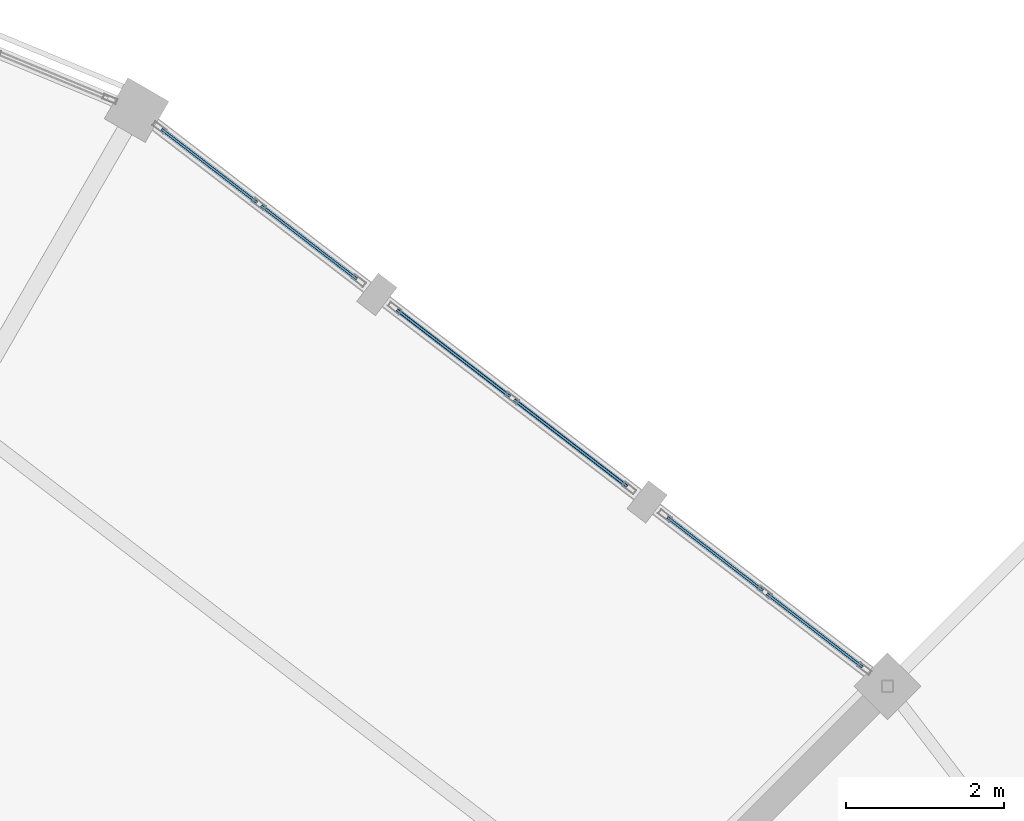
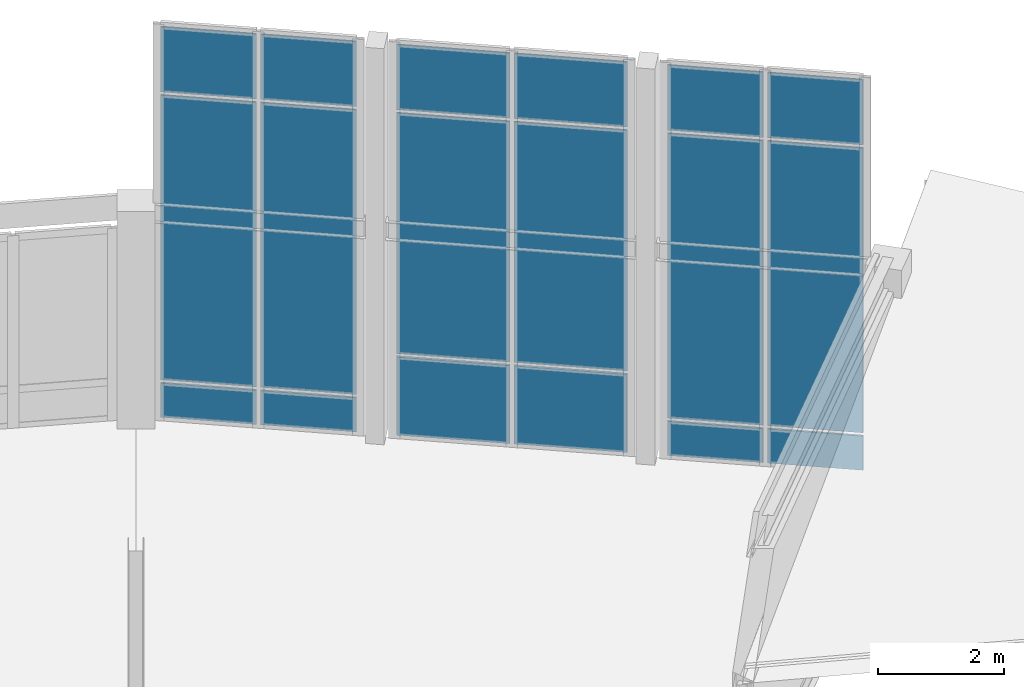
# One storey, part 142 of 200: 18 plates, 3 elements without a shape of their own.
"""IFC4 building model written with IfcOpenShell, lengths in metres."""

from ifc_helpers import new_model, si_unit, direction, frame, origin, origin_2d, place, context, subcontext, project, spatial, rectangle, extrude, material, layer, layer_set, type_object, element, aggregate, save


model = new_model("IFC4")

# Units and contexts
model_context = context("Model", 3, precision=1e-05, world=origin(), true_north=direction((0.0, 1.0)))
body_context = subcontext(model_context, "Body", "Model", "MODEL_VIEW")
ifc_project = project(units=[si_unit("LENGTHUNIT", "METRE"), si_unit("AREAUNIT", "SQUARE_METRE"), si_unit("VOLUMEUNIT", "CUBIC_METRE"), si_unit("PLANEANGLEUNIT", "RADIAN"), si_unit("MASSUNIT", "GRAM", prefix="KILO")], contexts=[model_context])

# Site, building, storey
site_placement = place(None, origin())
site = spatial("IfcSite", under=ifc_project, at=site_placement, CompositionType="ELEMENT")
building_placement = place(site_placement, origin())
building = spatial("IfcBuilding", under=site, at=building_placement, Name="Vondelvale Polytechnic", CompositionType="ELEMENT")
storey_placement = place(building_placement, frame((0.0, 0.0, 13.800048828125)))
storey = spatial("IfcBuildingStorey", under=building, at=storey_placement, Name="L03", CompositionType="ELEMENT", Elevation=13.800048828125)

# Curtain wall, plates
ifc_material_1 = material(Name="Glulam GL18 structural Tasmanian oak (fb = 42 MPa)", Category="wood")
curtain_wall_type = type_object("IfcCurtainWallType", Name="CW-RING-OUTER", PredefinedType="NOTDEFINED", material=ifc_material_1)
curtain_wall_1_placement = place(storey_placement, origin())
curtain_wall_1 = element("IfcCurtainWall", 1, at=curtain_wall_1_placement, inside=storey, type_object=curtain_wall_type, Name="L03 architectural curtain wall CW-04-109", PredefinedType="NOTDEFINED")
ifc_material_2 = material(Name="Double-glazed low-E insulated architectural glass", Category="glass")
ifc_layer_1 = layer(ifc_material_2, 0.028076171875)
ifc_layer_set_1 = layer_set([ifc_layer_1], Name="CW-PANEL-GLAZED")
plate_type_1 = type_object("IfcPlateType", Name="CW-PANEL-GLAZED", PredefinedType="CURTAIN_PANEL", material=ifc_layer_set_1)
plate_1_placement = place(storey_placement, frame((133.6044921875, 105.234619140625, 0.780029296875), z_axis=(0.0, 0.0, 1.0), x_axis=(-0.793333825656, 0.608786860133, 0.0)))
plate_1 = element("IfcPlate", 2, at=plate_1_placement, type_object=plate_type_1, Name="CW-04-109 panel 1.2", PredefinedType="CURTAIN_PANEL", context=body_context, shape_type="SweptSolid", body=[
    extrude(rectangle(XDim=1.530029296875, YDim=0.028076171875, at=origin_2d()), origin(), (0.0, 0.0, 1.0), 5.50146484375),
])
plate_2_placement = place(storey_placement, frame((133.6044921875, 105.234619140625, 6.34130859375), z_axis=(0.0, 0.0, 1.0), x_axis=(-0.793333825656, 0.608786860133, 0.0)))
plate_2 = element("IfcPlate", 3, at=plate_2_placement, type_object=plate_type_1, Name="CW-04-109 panel 1.3", PredefinedType="CURTAIN_PANEL", context=body_context, shape_type="SweptSolid", body=[
    extrude(rectangle(XDim=1.530029296875, YDim=0.028076171875, at=origin_2d()), origin(), (0.0, 0.0, 1.0), 1.260009765625),
])
plate_3_placement = place(storey_placement, frame((132.339111328125, 106.205810546875, 0.780029296875), z_axis=(0.0, 0.0, 1.0), x_axis=(-0.793333825656, 0.608786860133, 0.0)))
plate_3 = element("IfcPlate", 4, at=plate_3_placement, type_object=plate_type_1, Name="CW-04-109 panel 2.2", PredefinedType="CURTAIN_PANEL", context=body_context, shape_type="SweptSolid", body=[
    extrude(rectangle(XDim=1.530029296875, YDim=0.028076171875, at=origin_2d()), origin(), (0.0, 0.0, 1.0), 5.50146484375),
])
plate_4_placement = place(storey_placement, frame((132.339111328125, 106.205810546875, 6.34130859375), z_axis=(0.0, 0.0, 1.0), x_axis=(-0.793333825656, 0.608786860133, 0.0)))
plate_4 = element("IfcPlate", 5, at=plate_4_placement, type_object=plate_type_1, Name="CW-04-109 panel 2.3", PredefinedType="CURTAIN_PANEL", context=body_context, shape_type="SweptSolid", body=[
    extrude(rectangle(XDim=1.530029296875, YDim=0.028076171875, at=origin_2d()), origin(), (0.0, 0.0, 1.0), 1.260009765625),
])

curtain_wall_2_placement = place(storey_placement, origin())
curtain_wall_2 = element("IfcCurtainWall", 6, at=curtain_wall_2_placement, inside=storey, type_object=curtain_wall_type, Name="L03 architectural curtain wall CW-04-110", PredefinedType="NOTDEFINED")
plate_5_placement = place(storey_placement, frame((130.5068359375, 107.611572265625, 1.6298828125), z_axis=(0.0, 0.0, 1.0), x_axis=(-0.793345851043, 0.608771189063, 0.0)))
plate_5 = element("IfcPlate", 7, at=plate_5_placement, type_object=plate_type_1, Name="CW-04-110 panel 1.2", PredefinedType="CURTAIN_PANEL", context=body_context, shape_type="SweptSolid", body=[
    extrude(rectangle(XDim=1.80908203125, YDim=0.028076171875, at=origin_2d()), origin(), (0.0, 0.0, 1.0), 4.6513671875),
])
plate_6_placement = place(storey_placement, frame((130.5068359375, 107.611572265625, 6.34130859375), z_axis=(0.0, 0.0, 1.0), x_axis=(-0.793345851043, 0.608771189063, 0.0)))
plate_6 = element("IfcPlate", 8, at=plate_6_placement, type_object=plate_type_1, Name="CW-04-110 panel 1.3", PredefinedType="CURTAIN_PANEL", context=body_context, shape_type="SweptSolid", body=[
    extrude(rectangle(XDim=1.80908203125, YDim=0.028076171875, at=origin_2d()), origin(), (0.0, 0.0, 1.0), 1.260009765625),
])
plate_7_placement = place(storey_placement, frame((129.02001953125, 108.75244140625, 1.6298828125), z_axis=(0.0, 0.0, 1.0), x_axis=(-0.793345851043, 0.608771189063, 0.0)))
plate_7 = element("IfcPlate", 9, at=plate_7_placement, type_object=plate_type_1, Name="CW-04-110 panel 2.2", PredefinedType="CURTAIN_PANEL", context=body_context, shape_type="SweptSolid", body=[
    extrude(rectangle(XDim=1.80908203125, YDim=0.028076171875, at=origin_2d()), origin(), (0.0, 0.0, 1.0), 4.6513671875),
])
plate_8_placement = place(storey_placement, frame((129.02001953125, 108.75244140625, 6.34130859375), z_axis=(0.0, 0.0, 1.0), x_axis=(-0.793345851043, 0.608771189063, 0.0)))
plate_8 = element("IfcPlate", 10, at=plate_8_placement, type_object=plate_type_1, Name="CW-04-110 panel 2.3", PredefinedType="CURTAIN_PANEL", context=body_context, shape_type="SweptSolid", body=[
    extrude(rectangle(XDim=1.80908203125, YDim=0.028076171875, at=origin_2d()), origin(), (0.0, 0.0, 1.0), 1.260009765625),
])

curtain_wall_3_placement = place(storey_placement, origin())
curtain_wall_3 = element("IfcCurtainWall", 11, at=curtain_wall_3_placement, inside=storey, type_object=curtain_wall_type, Name="L03 architectural curtain wall CW-04-111", PredefinedType="NOTDEFINED")
plate_9_placement = place(storey_placement, frame((127.187744140625, 110.158447265625, 0.780029296875), z_axis=(0.0, 0.0, 1.0), x_axis=(-0.793333825656, 0.608786860133, 0.0)))
plate_9 = element("IfcPlate", 12, at=plate_9_placement, type_object=plate_type_1, Name="CW-04-111 panel 1.2", PredefinedType="CURTAIN_PANEL", context=body_context, shape_type="SweptSolid", body=[
    extrude(rectangle(XDim=1.530029296875, YDim=0.028076171875, at=origin_2d()), origin(), (0.0, 0.0, 1.0), 5.50146484375),
])
plate_10_placement = place(storey_placement, frame((127.187744140625, 110.158447265625, 6.34130859375), z_axis=(0.0, 0.0, 1.0), x_axis=(-0.793333825656, 0.608786860133, 0.0)))
plate_10 = element("IfcPlate", 13, at=plate_10_placement, type_object=plate_type_1, Name="CW-04-111 panel 1.3", PredefinedType="CURTAIN_PANEL", context=body_context, shape_type="SweptSolid", body=[
    extrude(rectangle(XDim=1.530029296875, YDim=0.028076171875, at=origin_2d()), origin(), (0.0, 0.0, 1.0), 1.260009765625),
])
plate_11_placement = place(storey_placement, frame((125.92236328125, 111.12939453125, 0.780029296875), z_axis=(0.0, 0.0, 1.0), x_axis=(-0.793333825656, 0.608786860133, 0.0)))
plate_11 = element("IfcPlate", 14, at=plate_11_placement, type_object=plate_type_1, Name="CW-04-111 panel 2.2", PredefinedType="CURTAIN_PANEL", context=body_context, shape_type="SweptSolid", body=[
    extrude(rectangle(XDim=1.530029296875, YDim=0.028076171875, at=origin_2d()), origin(), (0.0, 0.0, 1.0), 5.50146484375),
])
plate_12_placement = place(storey_placement, frame((125.92236328125, 111.12939453125, 6.34130859375), z_axis=(0.0, 0.0, 1.0), x_axis=(-0.793333825656, 0.608786860133, 0.0)))
plate_12 = element("IfcPlate", 15, at=plate_12_placement, type_object=plate_type_1, Name="CW-04-111 panel 2.3", PredefinedType="CURTAIN_PANEL", context=body_context, shape_type="SweptSolid", body=[
    extrude(rectangle(XDim=1.530029296875, YDim=0.028076171875, at=origin_2d()), origin(), (0.0, 0.0, 1.0), 1.260009765625),
])

# Plate
ifc_material_3 = material(Name="Engineered Tasmanian oak studio and bridge joinery")
ifc_layer_2 = layer(ifc_material_3, 0.0419921875)
ifc_layer_set_2 = layer_set([ifc_layer_2], Name="CW-PANEL-OAK")
plate_type_2 = type_object("IfcPlateType", Name="CW-PANEL-OAK", PredefinedType="CURTAIN_PANEL", material=ifc_layer_set_2)
plate_13_placement = place(storey_placement, frame((130.5068359375, 107.611572265625, 0.06005859375), z_axis=(0.0, 0.0, 1.0), x_axis=(-0.793345851043, 0.608771189063, 0.0)))
plate_13 = element("IfcPlate", 16, at=plate_13_placement, type_object=plate_type_2, Name="CW-04-110 panel 1.1", PredefinedType="CURTAIN_PANEL", context=body_context, shape_type="SweptSolid", body=[
    extrude(rectangle(XDim=1.80908203125, YDim=0.0419921875, at=origin_2d()), origin(), (0.0, 0.0, 1.0), 1.510009765625),
])

plate_14_placement = place(storey_placement, frame((129.02001953125, 108.75244140625, 0.06005859375), z_axis=(0.0, 0.0, 1.0), x_axis=(-0.793345851043, 0.608771189063, 0.0)))
plate_14 = element("IfcPlate", 17, at=plate_14_placement, type_object=plate_type_2, Name="CW-04-110 panel 2.1", PredefinedType="CURTAIN_PANEL", context=body_context, shape_type="SweptSolid", body=[
    extrude(rectangle(XDim=1.80908203125, YDim=0.0419921875, at=origin_2d()), origin(), (0.0, 0.0, 1.0), 1.510009765625),
])

aggregate(curtain_wall_2, [plate_13, plate_5, plate_6, plate_14, plate_7, plate_8])

ifc_material_4 = material(Name="Kiln-fired architectural terracotta", Category="masonry")
ifc_layer_3 = layer(ifc_material_4, 0.035888671875)
ifc_layer_set_3 = layer_set([ifc_layer_3], Name="CW-PANEL-SPANDREL")
plate_type_3 = type_object("IfcPlateType", Name="CW-PANEL-SPANDREL", PredefinedType="CURTAIN_PANEL", material=ifc_layer_set_3)
plate_15_placement = place(storey_placement, frame((133.6044921875, 105.234619140625, 0.06005859375), z_axis=(0.0, 0.0, 1.0), x_axis=(-0.793333825656, 0.608786860133, 0.0)))
plate_15 = element("IfcPlate", 18, at=plate_15_placement, type_object=plate_type_3, Name="CW-04-109 panel 1.1", PredefinedType="CURTAIN_PANEL", context=body_context, shape_type="SweptSolid", body=[
    extrude(rectangle(XDim=1.530029296875, YDim=0.035888671875, at=origin_2d()), origin(), (0.0, 0.0, 1.0), 0.659912109375),
])

plate_16_placement = place(storey_placement, frame((132.339111328125, 106.205810546875, 0.06005859375), z_axis=(0.0, 0.0, 1.0), x_axis=(-0.793333825656, 0.608786860133, 0.0)))
plate_16 = element("IfcPlate", 19, at=plate_16_placement, type_object=plate_type_3, Name="CW-04-109 panel 2.1", PredefinedType="CURTAIN_PANEL", context=body_context, shape_type="SweptSolid", body=[
    extrude(rectangle(XDim=1.530029296875, YDim=0.035888671875, at=origin_2d()), origin(), (0.0, 0.0, 1.0), 0.659912109375),
])

aggregate(curtain_wall_1, [plate_15, plate_1, plate_2, plate_16, plate_3, plate_4])

plate_17_placement = place(storey_placement, frame((127.187744140625, 110.158447265625, 0.06005859375), z_axis=(0.0, 0.0, 1.0), x_axis=(-0.793333825656, 0.608786860133, 0.0)))
plate_17 = element("IfcPlate", 20, at=plate_17_placement, type_object=plate_type_3, Name="CW-04-111 panel 1.1", PredefinedType="CURTAIN_PANEL", context=body_context, shape_type="SweptSolid", body=[
    extrude(rectangle(XDim=1.530029296875, YDim=0.035888671875, at=origin_2d()), origin(), (0.0, 0.0, 1.0), 0.659912109375),
])

plate_18_placement = place(storey_placement, frame((125.92236328125, 111.12939453125, 0.06005859375), z_axis=(0.0, 0.0, 1.0), x_axis=(-0.793333825656, 0.608786860133, 0.0)))
plate_18 = element("IfcPlate", 21, at=plate_18_placement, type_object=plate_type_3, Name="CW-04-111 panel 2.1", PredefinedType="CURTAIN_PANEL", context=body_context, shape_type="SweptSolid", body=[
    extrude(rectangle(XDim=1.530029296875, YDim=0.035888671875, at=origin_2d()), origin(), (0.0, 0.0, 1.0), 0.659912109375),
])

aggregate(curtain_wall_3, [plate_17, plate_9, plate_10, plate_18, plate_11, plate_12])

save(model, "model.ifc")
